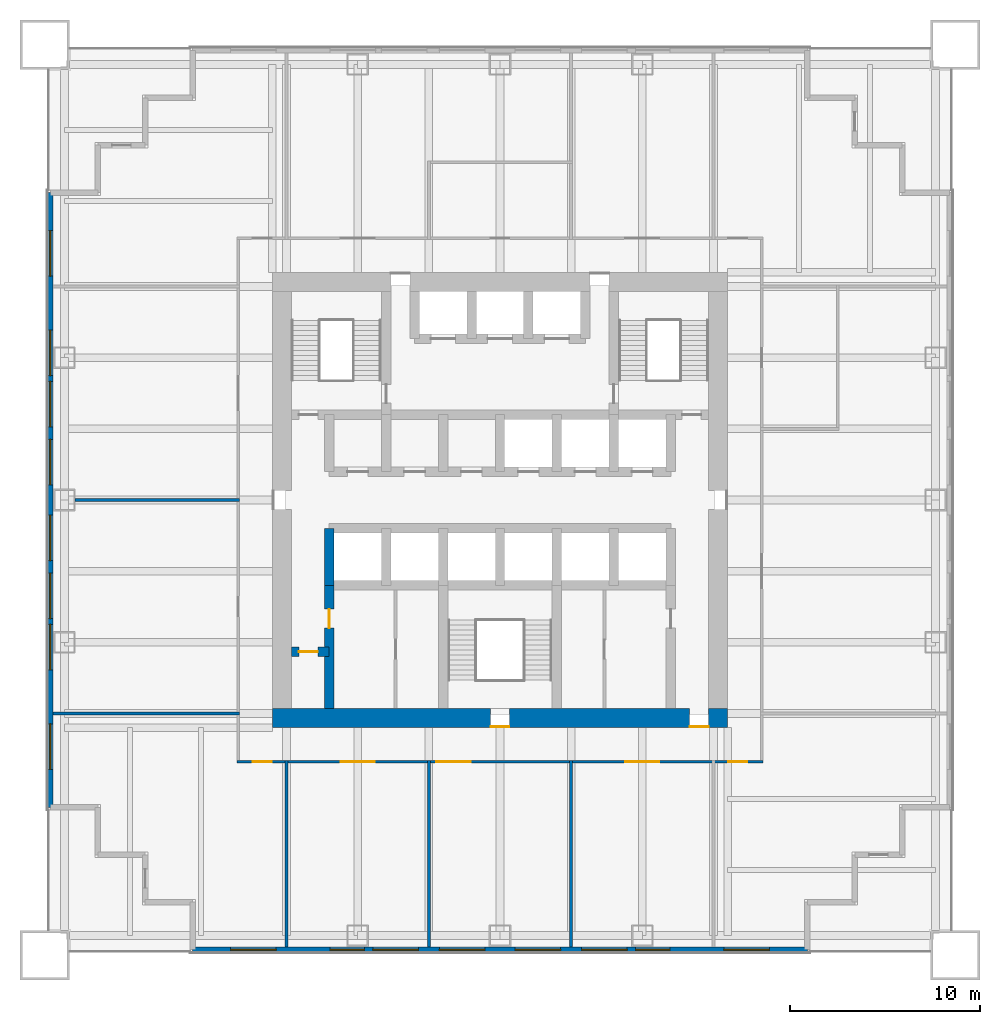
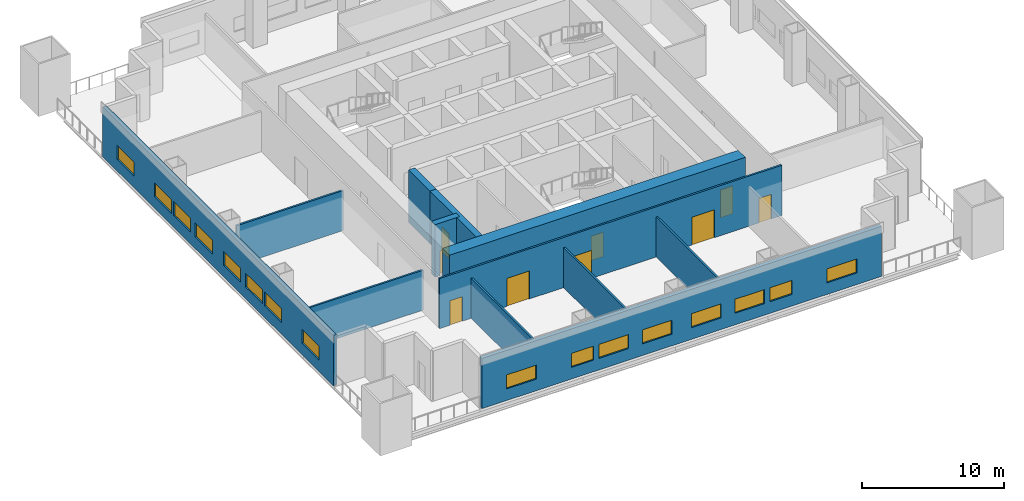
# One storey, part 2 of 7: 16 windows, 12 walls, 9 doors, 25 openings.
"""IFC4 building model written with IfcOpenShell, lengths in metres."""

from ifc_helpers import new_model, si_unit, direction, frame, frame_2d, origin, place, context, subcontext, project, spatial, rectangle, extrude, material, layer, layer_set, type_object, element, fill, save


model = new_model("IFC4")

# Units and contexts
model_context = context("Model", 3, precision=1e-05, world=origin(), true_north=direction((0.0, 1.0)))
body_context = subcontext(model_context, "Body", "Model", "MODEL_VIEW")
ifc_project = project(units=[si_unit("LENGTHUNIT", "METRE"), si_unit("AREAUNIT", "SQUARE_METRE"), si_unit("VOLUMEUNIT", "CUBIC_METRE"), si_unit("PLANEANGLEUNIT", "RADIAN"), si_unit("MASSUNIT", "GRAM", prefix="KILO")], contexts=[model_context])

# Site, building, storey
site_placement = place(None, origin())
site = spatial("IfcSite", under=ifc_project, at=site_placement, CompositionType="ELEMENT")
building_placement = place(site_placement, origin())
building = spatial("IfcBuilding", under=site, at=building_placement, Name="Tarangal Relay Tower", CompositionType="ELEMENT")
storey_placement = place(building_placement, frame((0.0, 0.0, 126.89990234375)))
storey = spatial("IfcBuildingStorey", under=building, at=storey_placement, Name="L25", CompositionType="ELEMENT", Elevation=126.89990234375)

# Wall, opening, door
ifc_material_1 = material(Name="Concrete fc' 60 MPa", Category="concrete")
ifc_layer_1 = layer(ifc_material_1, 0.5)
ifc_layer_set_1 = layer_set([ifc_layer_1], Name="Core inner wall 500")
wall_type_1 = type_object("IfcWallType", Name="Core inner wall 500", PredefinedType="SHEAR", material=ifc_layer_set_1)
wall_1_placement = place(storey_placement, frame((-11.0, -8.0, 0.0), z_axis=(0.0, 0.0, 1.0), x_axis=(1.0, 0.0, 0.0)))
wall_1 = element("IfcWall", 1, at=wall_1_placement, inside=storey, type_object=wall_type_1, Name="Core wall YM8 L25", PredefinedType="SHEAR", context=body_context, shape_type="SweptSolid", body=[
    extrude(rectangle(XDim=2.0, YDim=0.5, at=frame_2d((1.0, 0.0))), origin(), (0.0, 0.0, 1.0), 4.5),
])
opening_1_placement = place(wall_1_placement, frame((0.39990234375, 0.0, 0.0)))
opening_1 = element("IfcOpeningElement", 2, at=opening_1_placement, cuts=wall_1, Name="Opening D1", PredefinedType="OPENING", context=body_context, shape_type="SweptSolid", body=[
    extrude(rectangle(XDim=1.0, YDim=2.10009765625, at=frame_2d((0.5, 1.050048828125))), frame((0.0, 0.260009765625, 0.0), z_axis=(0.0, -1.0, 0.0), x_axis=(1.0, 0.0, 0.0)), (0.0, 0.0, 1.0), 0.52001953125),
])
ifc_material_2 = material(Name="Hardwood door", Category="wood")
door_type_1 = type_object("IfcDoorType", Name="WC door 1000 x 2100", OperationType="SINGLE_SWING_LEFT", PredefinedType="DOOR", material=ifc_material_2)
door_1_placement = place(opening_1_placement, origin())
door_1 = element("IfcDoor", 3, at=door_1_placement, inside=storey, type_object=door_type_1, Name="Accessible WC door L25", OperationType="SINGLE_SWING_LEFT", OverallHeight=2.10009765625, OverallWidth=1.0, PredefinedType="DOOR", context=body_context, shape_type="SweptSolid", body=[
    extrude(rectangle(XDim=1.0, YDim=2.10009765625, at=frame_2d((0.5, 1.050048828125))), frame((0.0, 0.02490234375, 0.0), z_axis=(0.0, -1.0, 0.0), x_axis=(1.0, 0.0, 0.0)), (0.0, 0.0, 1.0), 0.050048828125),
])
fill(opening_1, door_1)

# Wall
wall_2_placement = place(storey_placement, frame((-9.0, -4.5, 0.0), z_axis=(0.0, 0.0, 1.0), x_axis=(0.0, 1.0, 0.0)))
element("IfcWall", 4, at=wall_2_placement, inside=storey, type_object=wall_type_1, Name="Core wall XM9S L25", PredefinedType="SHEAR", context=body_context, shape_type="SweptSolid", body=[
    extrude(rectangle(XDim=3.0, YDim=0.5, at=frame_2d((1.5, 0.0))), origin(), (0.0, 0.0, 1.0), 4.5),
])

# Wall, opening, door
wall_3_placement = place(storey_placement, frame((-9.0, -11.0, 0.0), z_axis=(0.0, 0.0, 1.0), x_axis=(0.0, 1.0, 0.0)))
wall_3 = element("IfcWall", 5, at=wall_3_placement, inside=storey, type_object=wall_type_1, Name="Core wall XM9W L25", PredefinedType="SHEAR", context=body_context, shape_type="SweptSolid", body=[
    extrude(rectangle(XDim=6.5, YDim=0.5, at=frame_2d((3.25, 0.0))), origin(), (0.0, 0.0, 1.0), 4.5),
])
opening_2_placement = place(wall_3_placement, frame((4.25, 0.0, 0.0)))
opening_2 = element("IfcOpeningElement", 6, at=opening_2_placement, cuts=wall_3, Name="Opening D1", PredefinedType="OPENING", context=body_context, shape_type="SweptSolid", body=[
    extrude(rectangle(XDim=1.0, YDim=2.10009765625, at=frame_2d((0.5, 1.050048828125))), frame((0.0, 0.260009765625, 0.0), z_axis=(0.0, -1.0, 0.0), x_axis=(1.0, 0.0, 0.0)), (0.0, 0.0, 1.0), 0.52001953125),
])
door_2_placement = place(opening_2_placement, origin())
door_2 = element("IfcDoor", 7, at=door_2_placement, inside=storey, type_object=door_type_1, Name="Male WC door L25", OperationType="SINGLE_SWING_LEFT", OverallHeight=2.10009765625, OverallWidth=1.0, PredefinedType="DOOR", context=body_context, shape_type="SweptSolid", body=[
    extrude(rectangle(XDim=1.0, YDim=2.10009765625, at=frame_2d((0.5, 1.050048828125))), frame((0.0, 0.02490234375, 0.0), z_axis=(0.0, -1.0, 0.0), x_axis=(1.0, 0.0, 0.0)), (0.0, 0.0, 1.0), 0.050048828125),
])
fill(opening_2, door_2)

# Wall, openings, doors
ifc_layer_2 = layer(ifc_material_1, 1.0)
ifc_layer_set_2 = layer_set([ifc_layer_2], Name="Core wall 1000")
wall_type_2 = type_object("IfcWallType", Name="Core wall 1000", PredefinedType="SHEAR", material=ifc_layer_set_2)
wall_4_placement = place(storey_placement, frame((12.0, -11.5, 0.0), z_axis=(0.0, 0.0, 1.0), x_axis=(-1.0, 0.0, 0.0)))
wall_4 = element("IfcWall", 8, at=wall_4_placement, inside=storey, type_object=wall_type_2, Name="Core wall S L25", PredefinedType="SHEAR", context=body_context, shape_type="SweptSolid", body=[
    extrude(rectangle(XDim=24.0, YDim=1.0, at=frame_2d((12.0, 0.0))), origin(), (0.0, 0.0, 1.0), 4.5),
])
opening_3_placement = place(wall_4_placement, frame((11.5, 0.0, 0.0)))
opening_3 = element("IfcOpeningElement", 9, at=opening_3_placement, cuts=wall_4, Name="Opening FD1", PredefinedType="OPENING", context=body_context, shape_type="SweptSolid", body=[
    extrude(rectangle(XDim=1.0, YDim=2.10009765625, at=frame_2d((0.5, 1.050048828125))), frame((0.0, 0.510009765625, 0.0), z_axis=(0.0, -1.0, 0.0), x_axis=(1.0, 0.0, 0.0)), (0.0, 0.0, 1.0), 1.02001953125),
])
opening_4_placement = place(wall_4_placement, frame((1.0, 0.0, 0.0)))
opening_4 = element("IfcOpeningElement", 10, at=opening_4_placement, cuts=wall_4, Name="Opening FD3", PredefinedType="OPENING", context=body_context, shape_type="SweptSolid", body=[
    extrude(rectangle(XDim=1.0, YDim=2.39990234375, at=frame_2d((0.5, 1.199951171875))), frame((0.0, 0.510009765625, 0.0), z_axis=(0.0, -1.0, 0.0), x_axis=(1.0, 0.0, 0.0)), (0.0, 0.0, 1.0), 1.02001953125),
])
ifc_material_3 = material(Name="Steel door with hardwood frame", Category="steel")
door_type_2 = type_object("IfcDoorType", Name="Fire door 1000 x 2100", OperationType="SINGLE_SWING_LEFT", PredefinedType="DOOR", material=ifc_material_3)
door_3_placement = place(opening_3_placement, origin())
door_3 = element("IfcDoor", 11, at=door_3_placement, inside=storey, type_object=door_type_2, Name="Stair ST-C door L25", OperationType="SINGLE_SWING_LEFT", OverallHeight=2.10009765625, OverallWidth=1.0, PredefinedType="DOOR", context=body_context, shape_type="SweptSolid", body=[
    extrude(rectangle(XDim=1.0, YDim=2.10009765625, at=frame_2d((0.5, 1.050048828125))), frame((0.0, 0.48486328125, 0.0), z_axis=(0.0, -1.0, 0.0), x_axis=(1.0, 0.0, 0.0)), (0.0, 0.0, 1.0), 0.050048828125),
])
fill(opening_3, door_3)
door_type_3 = type_object("IfcDoorType", Name="Fire door 1000 x 2400 core entry", OperationType="SINGLE_SWING_RIGHT", PredefinedType="DOOR", material=ifc_material_3)
door_4_placement = place(opening_4_placement, origin())
door_4 = element("IfcDoor", 12, at=door_4_placement, inside=storey, type_object=door_type_3, Name="Core entry door south east L25", OperationType="SINGLE_SWING_RIGHT", OverallHeight=2.39990234375, OverallWidth=1.0, PredefinedType="DOOR", context=body_context, shape_type="SweptSolid", body=[
    extrude(rectangle(XDim=1.0, YDim=2.39990234375, at=frame_2d((0.5, 1.199951171875))), frame((0.0, 0.48486328125, 0.0), z_axis=(0.0, -1.0, 0.0), x_axis=(1.0, 0.0, 0.0)), (0.0, 0.0, 1.0), 0.050048828125),
])
fill(opening_4, door_4)

# Wall, openings, windows
ifc_material_4 = material(Name="Insulated precast concrete fc' 40 MPa", Category="concrete")
ifc_layer_3 = layer(ifc_material_4, 0.300048828125)
ifc_layer_set_3 = layer_set([ifc_layer_3], Name="Insulated precast concrete fc' 40 MPa")
wall_type_3 = type_object("IfcWallType", Name="Facade wall precast 300", PredefinedType="SOLIDWALL", material=ifc_layer_set_3)
wall_5_placement = place(storey_placement, frame((16.199951171875, -23.699951171875, 0.0), z_axis=(0.0, 0.0, 1.0), x_axis=(-1.0, 0.0, 0.0)))
wall_5 = element("IfcWall", 13, at=wall_5_placement, inside=storey, type_object=wall_type_3, Name="Facade wall S facade L25", PredefinedType="SOLIDWALL", context=body_context, shape_type="SweptSolid", body=[
    extrude(rectangle(XDim=32.39990234375, YDim=0.300048828125, at=frame_2d((16.199951171875, 0.0))), origin(), (0.0, 0.0, 1.0), 4.300048828125),
])
opening_5_placement = place(wall_5_placement, frame((2.0, 0.0, 1.0)))
opening_5 = element("IfcOpeningElement", 14, at=opening_5_placement, cuts=wall_5, Name="Opening WN1", PredefinedType="OPENING", context=body_context, shape_type="SweptSolid", body=[
    extrude(rectangle(XDim=2.39990234375, YDim=1.199951171875, at=frame_2d((1.199951171875, 0.60009765625))), frame((0.0, 0.159912109375, 0.0), z_axis=(0.0, -1.0, 0.0), x_axis=(1.0, 0.0, 0.0)), (0.0, 0.0, 1.0), 0.320068359375),
])
opening_6_placement = place(wall_5_placement, frame((7.25, 0.0, 1.0)))
opening_6 = element("IfcOpeningElement", 15, at=opening_6_placement, cuts=wall_5, Name="Opening WN5", PredefinedType="OPENING", context=body_context, shape_type="SweptSolid", body=[
    extrude(rectangle(XDim=1.800048828125, YDim=1.199951171875, at=frame_2d((0.89990234375, 0.60009765625))), frame((0.0, 0.159912109375, 0.0), z_axis=(0.0, -1.0, 0.0), x_axis=(1.0, 0.0, 0.0)), (0.0, 0.0, 1.0), 0.320068359375),
])
opening_7_placement = place(wall_5_placement, frame((9.5, 0.0, 1.0)))
opening_7 = element("IfcOpeningElement", 16, at=opening_7_placement, cuts=wall_5, Name="Opening WN1", PredefinedType="OPENING", context=body_context, shape_type="SweptSolid", body=[
    extrude(rectangle(XDim=2.39990234375, YDim=1.199951171875, at=frame_2d((1.199951171875, 0.60009765625))), frame((0.0, 0.159912109375, 0.0), z_axis=(0.0, -1.0, 0.0), x_axis=(1.0, 0.0, 0.0)), (0.0, 0.0, 1.0), 0.320068359375),
])
opening_8_placement = place(wall_5_placement, frame((13.0, 0.0, 1.0)))
opening_8 = element("IfcOpeningElement", 17, at=opening_8_placement, cuts=wall_5, Name="Opening WN1", PredefinedType="OPENING", context=body_context, shape_type="SweptSolid", body=[
    extrude(rectangle(XDim=2.39990234375, YDim=1.199951171875, at=frame_2d((1.199951171875, 0.60009765625))), frame((0.0, 0.159912109375, 0.0), z_axis=(0.0, -1.0, 0.0), x_axis=(1.0, 0.0, 0.0)), (0.0, 0.0, 1.0), 0.320068359375),
])
opening_9_placement = place(wall_5_placement, frame((17.0, 0.0, 1.0)))
opening_9 = element("IfcOpeningElement", 18, at=opening_9_placement, cuts=wall_5, Name="Opening WN1", PredefinedType="OPENING", context=body_context, shape_type="SweptSolid", body=[
    extrude(rectangle(XDim=2.39990234375, YDim=1.199951171875, at=frame_2d((1.199951171875, 0.60009765625))), frame((0.0, 0.159912109375, 0.0), z_axis=(0.0, -1.0, 0.0), x_axis=(1.0, 0.0, 0.0)), (0.0, 0.0, 1.0), 0.320068359375),
])
opening_10_placement = place(wall_5_placement, frame((20.5, 0.0, 1.0)))
opening_10 = element("IfcOpeningElement", 19, at=opening_10_placement, cuts=wall_5, Name="Opening WN1", PredefinedType="OPENING", context=body_context, shape_type="SweptSolid", body=[
    extrude(rectangle(XDim=2.39990234375, YDim=1.199951171875, at=frame_2d((1.199951171875, 0.60009765625))), frame((0.0, 0.159912109375, 0.0), z_axis=(0.0, -1.0, 0.0), x_axis=(1.0, 0.0, 0.0)), (0.0, 0.0, 1.0), 0.320068359375),
])
opening_11_placement = place(wall_5_placement, frame((23.35009765625, 0.0, 1.0)))
opening_11 = element("IfcOpeningElement", 20, at=opening_11_placement, cuts=wall_5, Name="Opening WN5", PredefinedType="OPENING", context=body_context, shape_type="SweptSolid", body=[
    extrude(rectangle(XDim=1.800048828125, YDim=1.199951171875, at=frame_2d((0.89990234375, 0.60009765625))), frame((0.0, 0.159912109375, 0.0), z_axis=(0.0, -1.0, 0.0), x_axis=(1.0, 0.0, 0.0)), (0.0, 0.0, 1.0), 0.320068359375),
])
opening_12_placement = place(wall_5_placement, frame((28.0, 0.0, 1.0)))
opening_12 = element("IfcOpeningElement", 21, at=opening_12_placement, cuts=wall_5, Name="Opening WN1", PredefinedType="OPENING", context=body_context, shape_type="SweptSolid", body=[
    extrude(rectangle(XDim=2.39990234375, YDim=1.199951171875, at=frame_2d((1.199951171875, 0.60009765625))), frame((0.0, 0.159912109375, 0.0), z_axis=(0.0, -1.0, 0.0), x_axis=(1.0, 0.0, 0.0)), (0.0, 0.0, 1.0), 0.320068359375),
])
ifc_material_5 = material(Name="Dark tinted double glazing in black aluminium frame", Category="aluminium")
window_type_1 = type_object("IfcWindowType", Name="Ribbon window 1800 x 1200", PartitioningType="SINGLE_PANEL", PredefinedType="WINDOW", material=ifc_material_5)
window_1_placement = place(opening_6_placement, origin())
window_1 = element("IfcWindow", 22, at=window_1_placement, inside=storey, type_object=window_type_1, Name="Ribbon window WN5 S facade L25", OverallHeight=1.199951171875, OverallWidth=1.800048828125, PartitioningType="SINGLE_PANEL", PredefinedType="WINDOW", context=body_context, shape_type="SweptSolid", body=[
    extrude(rectangle(XDim=1.800048828125, YDim=1.199951171875, at=frame_2d((0.89990234375, 0.60009765625))), frame((0.0, 0.030029296875, 0.0), z_axis=(0.0, -1.0, 0.0), x_axis=(1.0, 0.0, 0.0)), (0.0, 0.0, 1.0), 0.06005859375),
])
fill(opening_6, window_1)
window_2_placement = place(opening_11_placement, origin())
window_2 = element("IfcWindow", 23, at=window_2_placement, inside=storey, type_object=window_type_1, Name="Ribbon window WN5 S facade L25", OverallHeight=1.199951171875, OverallWidth=1.800048828125, PartitioningType="SINGLE_PANEL", PredefinedType="WINDOW", context=body_context, shape_type="SweptSolid", body=[
    extrude(rectangle(XDim=1.800048828125, YDim=1.199951171875, at=frame_2d((0.89990234375, 0.60009765625))), frame((0.0, 0.030029296875, 0.0), z_axis=(0.0, -1.0, 0.0), x_axis=(1.0, 0.0, 0.0)), (0.0, 0.0, 1.0), 0.06005859375),
])
fill(opening_11, window_2)
window_type_2 = type_object("IfcWindowType", Name="Ribbon window 2400 x 1200", PartitioningType="SINGLE_PANEL", PredefinedType="WINDOW", material=ifc_material_5)
window_3_placement = place(opening_5_placement, origin())
window_3 = element("IfcWindow", 24, at=window_3_placement, inside=storey, type_object=window_type_2, Name="Ribbon window WN1 S facade L25", OverallHeight=1.199951171875, OverallWidth=2.39990234375, PartitioningType="SINGLE_PANEL", PredefinedType="WINDOW", context=body_context, shape_type="SweptSolid", body=[
    extrude(rectangle(XDim=2.39990234375, YDim=1.199951171875, at=frame_2d((1.199951171875, 0.60009765625))), frame((0.0, 0.030029296875, 0.0), z_axis=(0.0, -1.0, 0.0), x_axis=(1.0, 0.0, 0.0)), (0.0, 0.0, 1.0), 0.06005859375),
])
fill(opening_5, window_3)
window_4_placement = place(opening_7_placement, origin())
window_4 = element("IfcWindow", 25, at=window_4_placement, inside=storey, type_object=window_type_2, Name="Ribbon window WN1 S facade L25", OverallHeight=1.199951171875, OverallWidth=2.39990234375, PartitioningType="SINGLE_PANEL", PredefinedType="WINDOW", context=body_context, shape_type="SweptSolid", body=[
    extrude(rectangle(XDim=2.39990234375, YDim=1.199951171875, at=frame_2d((1.199951171875, 0.60009765625))), frame((0.0, 0.030029296875, 0.0), z_axis=(0.0, -1.0, 0.0), x_axis=(1.0, 0.0, 0.0)), (0.0, 0.0, 1.0), 0.06005859375),
])
fill(opening_7, window_4)
window_5_placement = place(opening_8_placement, origin())
window_5 = element("IfcWindow", 26, at=window_5_placement, inside=storey, type_object=window_type_2, Name="Ribbon window WN1 S facade L25", OverallHeight=1.199951171875, OverallWidth=2.39990234375, PartitioningType="SINGLE_PANEL", PredefinedType="WINDOW", context=body_context, shape_type="SweptSolid", body=[
    extrude(rectangle(XDim=2.39990234375, YDim=1.199951171875, at=frame_2d((1.199951171875, 0.60009765625))), frame((0.0, 0.030029296875, 0.0), z_axis=(0.0, -1.0, 0.0), x_axis=(1.0, 0.0, 0.0)), (0.0, 0.0, 1.0), 0.06005859375),
])
fill(opening_8, window_5)
window_6_placement = place(opening_9_placement, origin())
window_6 = element("IfcWindow", 27, at=window_6_placement, inside=storey, type_object=window_type_2, Name="Ribbon window WN1 S facade L25", OverallHeight=1.199951171875, OverallWidth=2.39990234375, PartitioningType="SINGLE_PANEL", PredefinedType="WINDOW", context=body_context, shape_type="SweptSolid", body=[
    extrude(rectangle(XDim=2.39990234375, YDim=1.199951171875, at=frame_2d((1.199951171875, 0.60009765625))), frame((0.0, 0.030029296875, 0.0), z_axis=(0.0, -1.0, 0.0), x_axis=(1.0, 0.0, 0.0)), (0.0, 0.0, 1.0), 0.06005859375),
])
fill(opening_9, window_6)
window_7_placement = place(opening_10_placement, origin())
window_7 = element("IfcWindow", 28, at=window_7_placement, inside=storey, type_object=window_type_2, Name="Ribbon window WN1 S facade L25", OverallHeight=1.199951171875, OverallWidth=2.39990234375, PartitioningType="SINGLE_PANEL", PredefinedType="WINDOW", context=body_context, shape_type="SweptSolid", body=[
    extrude(rectangle(XDim=2.39990234375, YDim=1.199951171875, at=frame_2d((1.199951171875, 0.60009765625))), frame((0.0, 0.030029296875, 0.0), z_axis=(0.0, -1.0, 0.0), x_axis=(1.0, 0.0, 0.0)), (0.0, 0.0, 1.0), 0.06005859375),
])
fill(opening_10, window_7)
window_8_placement = place(opening_12_placement, origin())
window_8 = element("IfcWindow", 29, at=window_8_placement, inside=storey, type_object=window_type_2, Name="Ribbon window WN1 S facade L25", OverallHeight=1.199951171875, OverallWidth=2.39990234375, PartitioningType="SINGLE_PANEL", PredefinedType="WINDOW", context=body_context, shape_type="SweptSolid", body=[
    extrude(rectangle(XDim=2.39990234375, YDim=1.199951171875, at=frame_2d((1.199951171875, 0.60009765625))), frame((0.0, 0.030029296875, 0.0), z_axis=(0.0, -1.0, 0.0), x_axis=(1.0, 0.0, 0.0)), (0.0, 0.0, 1.0), 0.06005859375),
])
fill(opening_12, window_8)

wall_6_placement = place(storey_placement, frame((-23.699951171875, -16.199951171875, 0.0), z_axis=(0.0, 0.0, 1.0), x_axis=(0.0, 1.0, 0.0)))
wall_6 = element("IfcWall", 30, at=wall_6_placement, inside=storey, type_object=wall_type_3, Name="Facade wall W facade L25", PredefinedType="SOLIDWALL", context=body_context, shape_type="SweptSolid", body=[
    extrude(rectangle(XDim=32.39990234375, YDim=0.300048828125, at=frame_2d((16.199951171875, 0.0))), origin(), (0.0, 0.0, 1.0), 4.300048828125),
])
opening_13_placement = place(wall_6_placement, frame((2.0, 0.0, 1.0)))
opening_13 = element("IfcOpeningElement", 31, at=opening_13_placement, cuts=wall_6, Name="Opening WN1", PredefinedType="OPENING", context=body_context, shape_type="SweptSolid", body=[
    extrude(rectangle(XDim=2.39990234375, YDim=1.199951171875, at=frame_2d((1.199951171875, 0.60009765625))), frame((0.0, 0.159912109375, 0.0), z_axis=(0.0, -1.0, 0.0), x_axis=(1.0, 0.0, 0.0)), (0.0, 0.0, 1.0), 0.320068359375),
])
opening_14_placement = place(wall_6_placement, frame((7.25, 0.0, 1.0)))
opening_14 = element("IfcOpeningElement", 32, at=opening_14_placement, cuts=wall_6, Name="Opening WN1", PredefinedType="OPENING", context=body_context, shape_type="SweptSolid", body=[
    extrude(rectangle(XDim=2.39990234375, YDim=1.199951171875, at=frame_2d((1.199951171875, 0.60009765625))), frame((0.0, 0.159912109375, 0.0), z_axis=(0.0, -1.0, 0.0), x_axis=(1.0, 0.0, 0.0)), (0.0, 0.0, 1.0), 0.320068359375),
])
opening_15_placement = place(wall_6_placement, frame((9.949951171875, 0.0, 1.0)))
opening_15 = element("IfcOpeningElement", 33, at=opening_15_placement, cuts=wall_6, Name="Opening WN1", PredefinedType="OPENING", context=body_context, shape_type="SweptSolid", body=[
    extrude(rectangle(XDim=2.39990234375, YDim=1.199951171875, at=frame_2d((1.199951171875, 0.60009765625))), frame((0.0, 0.159912109375, 0.0), z_axis=(0.0, -1.0, 0.0), x_axis=(1.0, 0.0, 0.0)), (0.0, 0.0, 1.0), 0.320068359375),
])
opening_16_placement = place(wall_6_placement, frame((13.0, 0.0, 1.0)))
opening_16 = element("IfcOpeningElement", 34, at=opening_16_placement, cuts=wall_6, Name="Opening WN1", PredefinedType="OPENING", context=body_context, shape_type="SweptSolid", body=[
    extrude(rectangle(XDim=2.39990234375, YDim=1.199951171875, at=frame_2d((1.199951171875, 0.60009765625))), frame((0.0, 0.159912109375, 0.0), z_axis=(0.0, -1.0, 0.0), x_axis=(1.0, 0.0, 0.0)), (0.0, 0.0, 1.0), 0.320068359375),
])
opening_17_placement = place(wall_6_placement, frame((17.0, 0.0, 1.0)))
opening_17 = element("IfcOpeningElement", 35, at=opening_17_placement, cuts=wall_6, Name="Opening WN1", PredefinedType="OPENING", context=body_context, shape_type="SweptSolid", body=[
    extrude(rectangle(XDim=2.39990234375, YDim=1.199951171875, at=frame_2d((1.199951171875, 0.60009765625))), frame((0.0, 0.159912109375, 0.0), z_axis=(0.0, -1.0, 0.0), x_axis=(1.0, 0.0, 0.0)), (0.0, 0.0, 1.0), 0.320068359375),
])
opening_18_placement = place(wall_6_placement, frame((20.050048828125, 0.0, 1.0)))
opening_18 = element("IfcOpeningElement", 36, at=opening_18_placement, cuts=wall_6, Name="Opening WN1", PredefinedType="OPENING", context=body_context, shape_type="SweptSolid", body=[
    extrude(rectangle(XDim=2.39990234375, YDim=1.199951171875, at=frame_2d((1.199951171875, 0.60009765625))), frame((0.0, 0.159912109375, 0.0), z_axis=(0.0, -1.0, 0.0), x_axis=(1.0, 0.0, 0.0)), (0.0, 0.0, 1.0), 0.320068359375),
])
opening_19_placement = place(wall_6_placement, frame((22.75, 0.0, 1.0)))
opening_19 = element("IfcOpeningElement", 37, at=opening_19_placement, cuts=wall_6, Name="Opening WN1", PredefinedType="OPENING", context=body_context, shape_type="SweptSolid", body=[
    extrude(rectangle(XDim=2.39990234375, YDim=1.199951171875, at=frame_2d((1.199951171875, 0.60009765625))), frame((0.0, 0.159912109375, 0.0), z_axis=(0.0, -1.0, 0.0), x_axis=(1.0, 0.0, 0.0)), (0.0, 0.0, 1.0), 0.320068359375),
])
opening_20_placement = place(wall_6_placement, frame((28.0, 0.0, 1.0)))
opening_20 = element("IfcOpeningElement", 38, at=opening_20_placement, cuts=wall_6, Name="Opening WN1", PredefinedType="OPENING", context=body_context, shape_type="SweptSolid", body=[
    extrude(rectangle(XDim=2.39990234375, YDim=1.199951171875, at=frame_2d((1.199951171875, 0.60009765625))), frame((0.0, 0.159912109375, 0.0), z_axis=(0.0, -1.0, 0.0), x_axis=(1.0, 0.0, 0.0)), (0.0, 0.0, 1.0), 0.320068359375),
])
window_9_placement = place(opening_13_placement, origin())
window_9 = element("IfcWindow", 39, at=window_9_placement, inside=storey, type_object=window_type_2, Name="Ribbon window WN1 W facade L25", OverallHeight=1.199951171875, OverallWidth=2.39990234375, PartitioningType="SINGLE_PANEL", PredefinedType="WINDOW", context=body_context, shape_type="SweptSolid", body=[
    extrude(rectangle(XDim=2.39990234375, YDim=1.199951171875, at=frame_2d((1.199951171875, 0.60009765625))), frame((0.0, 0.030029296875, 0.0), z_axis=(0.0, -1.0, 0.0), x_axis=(1.0, 0.0, 0.0)), (0.0, 0.0, 1.0), 0.06005859375),
])
fill(opening_13, window_9)
window_10_placement = place(opening_14_placement, origin())
window_10 = element("IfcWindow", 40, at=window_10_placement, inside=storey, type_object=window_type_2, Name="Ribbon window WN1 W facade L25", OverallHeight=1.199951171875, OverallWidth=2.39990234375, PartitioningType="SINGLE_PANEL", PredefinedType="WINDOW", context=body_context, shape_type="SweptSolid", body=[
    extrude(rectangle(XDim=2.39990234375, YDim=1.199951171875, at=frame_2d((1.199951171875, 0.60009765625))), frame((0.0, 0.030029296875, 0.0), z_axis=(0.0, -1.0, 0.0), x_axis=(1.0, 0.0, 0.0)), (0.0, 0.0, 1.0), 0.06005859375),
])
fill(opening_14, window_10)
window_11_placement = place(opening_15_placement, origin())
window_11 = element("IfcWindow", 41, at=window_11_placement, inside=storey, type_object=window_type_2, Name="Ribbon window WN1 W facade L25", OverallHeight=1.199951171875, OverallWidth=2.39990234375, PartitioningType="SINGLE_PANEL", PredefinedType="WINDOW", context=body_context, shape_type="SweptSolid", body=[
    extrude(rectangle(XDim=2.39990234375, YDim=1.199951171875, at=frame_2d((1.199951171875, 0.60009765625))), frame((0.0, 0.030029296875, 0.0), z_axis=(0.0, -1.0, 0.0), x_axis=(1.0, 0.0, 0.0)), (0.0, 0.0, 1.0), 0.06005859375),
])
fill(opening_15, window_11)
window_12_placement = place(opening_16_placement, origin())
window_12 = element("IfcWindow", 42, at=window_12_placement, inside=storey, type_object=window_type_2, Name="Ribbon window WN1 W facade L25", OverallHeight=1.199951171875, OverallWidth=2.39990234375, PartitioningType="SINGLE_PANEL", PredefinedType="WINDOW", context=body_context, shape_type="SweptSolid", body=[
    extrude(rectangle(XDim=2.39990234375, YDim=1.199951171875, at=frame_2d((1.199951171875, 0.60009765625))), frame((0.0, 0.030029296875, 0.0), z_axis=(0.0, -1.0, 0.0), x_axis=(1.0, 0.0, 0.0)), (0.0, 0.0, 1.0), 0.06005859375),
])
fill(opening_16, window_12)
window_13_placement = place(opening_17_placement, origin())
window_13 = element("IfcWindow", 43, at=window_13_placement, inside=storey, type_object=window_type_2, Name="Ribbon window WN1 W facade L25", OverallHeight=1.199951171875, OverallWidth=2.39990234375, PartitioningType="SINGLE_PANEL", PredefinedType="WINDOW", context=body_context, shape_type="SweptSolid", body=[
    extrude(rectangle(XDim=2.39990234375, YDim=1.199951171875, at=frame_2d((1.199951171875, 0.60009765625))), frame((0.0, 0.030029296875, 0.0), z_axis=(0.0, -1.0, 0.0), x_axis=(1.0, 0.0, 0.0)), (0.0, 0.0, 1.0), 0.06005859375),
])
fill(opening_17, window_13)
window_14_placement = place(opening_18_placement, origin())
window_14 = element("IfcWindow", 44, at=window_14_placement, inside=storey, type_object=window_type_2, Name="Ribbon window WN1 W facade L25", OverallHeight=1.199951171875, OverallWidth=2.39990234375, PartitioningType="SINGLE_PANEL", PredefinedType="WINDOW", context=body_context, shape_type="SweptSolid", body=[
    extrude(rectangle(XDim=2.39990234375, YDim=1.199951171875, at=frame_2d((1.199951171875, 0.60009765625))), frame((0.0, 0.030029296875, 0.0), z_axis=(0.0, -1.0, 0.0), x_axis=(1.0, 0.0, 0.0)), (0.0, 0.0, 1.0), 0.06005859375),
])
fill(opening_18, window_14)
window_15_placement = place(opening_19_placement, origin())
window_15 = element("IfcWindow", 45, at=window_15_placement, inside=storey, type_object=window_type_2, Name="Ribbon window WN1 W facade L25", OverallHeight=1.199951171875, OverallWidth=2.39990234375, PartitioningType="SINGLE_PANEL", PredefinedType="WINDOW", context=body_context, shape_type="SweptSolid", body=[
    extrude(rectangle(XDim=2.39990234375, YDim=1.199951171875, at=frame_2d((1.199951171875, 0.60009765625))), frame((0.0, 0.030029296875, 0.0), z_axis=(0.0, -1.0, 0.0), x_axis=(1.0, 0.0, 0.0)), (0.0, 0.0, 1.0), 0.06005859375),
])
fill(opening_19, window_15)
window_16_placement = place(opening_20_placement, origin())
window_16 = element("IfcWindow", 46, at=window_16_placement, inside=storey, type_object=window_type_2, Name="Ribbon window WN1 W facade L25", OverallHeight=1.199951171875, OverallWidth=2.39990234375, PartitioningType="SINGLE_PANEL", PredefinedType="WINDOW", context=body_context, shape_type="SweptSolid", body=[
    extrude(rectangle(XDim=2.39990234375, YDim=1.199951171875, at=frame_2d((1.199951171875, 0.60009765625))), frame((0.0, 0.030029296875, 0.0), z_axis=(0.0, -1.0, 0.0), x_axis=(1.0, 0.0, 0.0)), (0.0, 0.0, 1.0), 0.06005859375),
])
fill(opening_20, window_16)

# Wall, openings, doors
ifc_material_6 = material(Name="Gypsum board on steel studs", Category="steel")
ifc_layer_4 = layer(ifc_material_6, 0.14990234375)
ifc_layer_set_4 = layer_set([ifc_layer_4], Name="Partition 150")
wall_type_4 = type_object("IfcWallType", Name="Partition 150", PredefinedType="PARTITIONING", material=ifc_layer_set_4)
wall_7_placement = place(storey_placement, frame((-13.875, -13.800048828125, 0.0), z_axis=(0.0, 0.0, 1.0), x_axis=(1.0, 0.0, 0.0)))
wall_7 = element("IfcWall", 47, at=wall_7_placement, inside=storey, type_object=wall_type_4, Name="Partition PT1 L25", PredefinedType="PARTITIONING", context=body_context, shape_type="SweptSolid", body=[
    extrude(rectangle(XDim=27.75, YDim=0.14990234375, at=frame_2d((13.875, 0.0))), origin(), (0.0, 0.0, 1.0), 4.300048828125),
])
opening_21_placement = place(wall_7_placement, frame((20.47509765625, 0.0, 0.0)))
opening_21 = element("IfcOpeningElement", 48, at=opening_21_placement, cuts=wall_7, Name="Opening DD1", PredefinedType="OPENING", context=body_context, shape_type="SweptSolid", body=[
    extrude(rectangle(XDim=1.800048828125, YDim=2.39990234375, at=frame_2d((0.89990234375, 1.199951171875))), frame((0.0, 0.0849609375, 0.0), z_axis=(0.0, -1.0, 0.0), x_axis=(1.0, 0.0, 0.0)), (0.0, 0.0, 1.0), 0.169921875),
])
opening_22_placement = place(wall_7_placement, frame((10.52490234375, 0.0, 0.0)))
opening_22 = element("IfcOpeningElement", 49, at=opening_22_placement, cuts=wall_7, Name="Opening DD1", PredefinedType="OPENING", context=body_context, shape_type="SweptSolid", body=[
    extrude(rectangle(XDim=1.800048828125, YDim=2.39990234375, at=frame_2d((0.89990234375, 1.199951171875))), frame((0.0, 0.0849609375, 0.0), z_axis=(0.0, -1.0, 0.0), x_axis=(1.0, 0.0, 0.0)), (0.0, 0.0, 1.0), 0.169921875),
])
opening_23_placement = place(wall_7_placement, frame((5.47509765625, 0.0, 0.0)))
opening_23 = element("IfcOpeningElement", 50, at=opening_23_placement, cuts=wall_7, Name="Opening DD1", PredefinedType="OPENING", context=body_context, shape_type="SweptSolid", body=[
    extrude(rectangle(XDim=1.800048828125, YDim=2.39990234375, at=frame_2d((0.89990234375, 1.199951171875))), frame((0.0, 0.0849609375, 0.0), z_axis=(0.0, -1.0, 0.0), x_axis=(1.0, 0.0, 0.0)), (0.0, 0.0, 1.0), 0.169921875),
])
opening_24_placement = place(wall_7_placement, frame((25.89990234375, 0.0, 0.0)))
opening_24 = element("IfcOpeningElement", 51, at=opening_24_placement, cuts=wall_7, Name="Opening D2", PredefinedType="OPENING", context=body_context, shape_type="SweptSolid", body=[
    extrude(rectangle(XDim=1.0, YDim=2.10009765625, at=frame_2d((0.5, 1.050048828125))), frame((0.0, 0.0849609375, 0.0), z_axis=(0.0, -1.0, 0.0), x_axis=(1.0, 0.0, 0.0)), (0.0, 0.0, 1.0), 0.169921875),
])
opening_25_placement = place(wall_7_placement, frame((0.85009765625, 0.0, 0.0)))
opening_25 = element("IfcOpeningElement", 52, at=opening_25_placement, cuts=wall_7, Name="Opening D2", PredefinedType="OPENING", context=body_context, shape_type="SweptSolid", body=[
    extrude(rectangle(XDim=1.0, YDim=2.10009765625, at=frame_2d((0.5, 1.050048828125))), frame((0.0, 0.0849609375, 0.0), z_axis=(0.0, -1.0, 0.0), x_axis=(1.0, 0.0, 0.0)), (0.0, 0.0, 1.0), 0.169921875),
])
door_type_4 = type_object("IfcDoorType", Name="Door 1000 x 2100", OperationType="SINGLE_SWING_LEFT", PredefinedType="DOOR", material=ifc_material_2)
door_5_placement = place(opening_24_placement, origin())
door_5 = element("IfcDoor", 53, at=door_5_placement, inside=storey, type_object=door_type_4, Name="Door D2 to engineering office L25-13", OperationType="SINGLE_SWING_LEFT", OverallHeight=2.10009765625, OverallWidth=1.0, PredefinedType="DOOR", context=body_context, shape_type="SweptSolid", body=[
    extrude(rectangle(XDim=1.0, YDim=2.10009765625, at=frame_2d((0.5, 1.050048828125))), frame((0.0, 0.02490234375, 0.0), z_axis=(0.0, -1.0, 0.0), x_axis=(1.0, 0.0, 0.0)), (0.0, 0.0, 1.0), 0.050048828125),
])
fill(opening_24, door_5)
door_6_placement = place(opening_25_placement, origin())
door_6 = element("IfcDoor", 54, at=door_6_placement, inside=storey, type_object=door_type_4, Name="Door D2 to security office L25-14", OperationType="SINGLE_SWING_LEFT", OverallHeight=2.10009765625, OverallWidth=1.0, PredefinedType="DOOR", context=body_context, shape_type="SweptSolid", body=[
    extrude(rectangle(XDim=1.0, YDim=2.10009765625, at=frame_2d((0.5, 1.050048828125))), frame((0.0, 0.02490234375, 0.0), z_axis=(0.0, -1.0, 0.0), x_axis=(1.0, 0.0, 0.0)), (0.0, 0.0, 1.0), 0.050048828125),
])
fill(opening_25, door_6)
door_type_5 = type_object("IfcDoorType", Name="Equipment double door 1800 x 2400", OperationType="DOUBLE_DOOR_SINGLE_SWING", PredefinedType="DOOR", material=ifc_material_3)
door_7_placement = place(opening_21_placement, origin())
door_7 = element("IfcDoor", 55, at=door_7_placement, inside=storey, type_object=door_type_5, Name="Door DD1 to rectifier and battery room L25-07", OperationType="DOUBLE_DOOR_SINGLE_SWING", OverallHeight=2.39990234375, OverallWidth=1.800048828125, PredefinedType="DOOR", context=body_context, shape_type="SweptSolid", body=[
    extrude(rectangle(XDim=1.800048828125, YDim=2.39990234375, at=frame_2d((0.89990234375, 1.199951171875))), frame((0.0, 0.02490234375, 0.0), z_axis=(0.0, -1.0, 0.0), x_axis=(1.0, 0.0, 0.0)), (0.0, 0.0, 1.0), 0.050048828125),
])
fill(opening_21, door_7)
door_8_placement = place(opening_22_placement, origin())
door_8 = element("IfcDoor", 56, at=door_8_placement, inside=storey, type_object=door_type_5, Name="Door DD1 to electrical room L25-08", OperationType="DOUBLE_DOOR_SINGLE_SWING", OverallHeight=2.39990234375, OverallWidth=1.800048828125, PredefinedType="DOOR", context=body_context, shape_type="SweptSolid", body=[
    extrude(rectangle(XDim=1.800048828125, YDim=2.39990234375, at=frame_2d((0.89990234375, 1.199951171875))), frame((0.0, 0.02490234375, 0.0), z_axis=(0.0, -1.0, 0.0), x_axis=(1.0, 0.0, 0.0)), (0.0, 0.0, 1.0), 0.050048828125),
])
fill(opening_22, door_8)
door_9_placement = place(opening_23_placement, origin())
door_9 = element("IfcDoor", 57, at=door_9_placement, inside=storey, type_object=door_type_5, Name="Door DD1 to fibre distribution room L25-09", OperationType="DOUBLE_DOOR_SINGLE_SWING", OverallHeight=2.39990234375, OverallWidth=1.800048828125, PredefinedType="DOOR", context=body_context, shape_type="SweptSolid", body=[
    extrude(rectangle(XDim=1.800048828125, YDim=2.39990234375, at=frame_2d((0.89990234375, 1.199951171875))), frame((0.0, 0.02490234375, 0.0), z_axis=(0.0, -1.0, 0.0), x_axis=(1.0, 0.0, 0.0)), (0.0, 0.0, 1.0), 0.050048828125),
])
fill(opening_23, door_9)

# Walls
wall_8_placement = place(storey_placement, frame((-23.550048828125, -11.25, 0.0), z_axis=(0.0, 0.0, 1.0), x_axis=(1.0, 0.0, 0.0)))
element("IfcWall", 58, at=wall_8_placement, inside=storey, type_object=wall_type_4, Name="Partition PT1 L25", PredefinedType="PARTITIONING", context=body_context, shape_type="SweptSolid", body=[
    extrude(rectangle(XDim=9.824951171875, YDim=0.14990234375, at=frame_2d((4.91259765625, 0.0))), origin(), (0.0, 0.0, 1.0), 3.431396484375),
])
wall_9_placement = place(storey_placement, frame((-22.389892578125, 0.0, 0.0), z_axis=(0.0, 0.0, 1.0), x_axis=(1.0, 0.0, 0.0)))
element("IfcWall", 59, at=wall_9_placement, inside=storey, type_object=wall_type_4, Name="Partition PT1 L25", PredefinedType="PARTITIONING", context=body_context, shape_type="SweptSolid", body=[
    extrude(rectangle(XDim=8.664794921875, YDim=0.14990234375, at=frame_2d((4.33251953125, 0.0))), origin(), (0.0, 0.0, 1.0), 3.431396484375),
])
for number, where, z_axis, x_axis, name in (
    (60, (-11.25, -23.550048828125, 0.0), (0.0, 0.0, 1.0), (0.0, 1.0, 0.0), "Partition PT1 L25"),
    (61, (-3.75, -23.550048828125, 0.0), (0.0, 0.0, 1.0), (0.0, 1.0, 0.0), "Partition PT1 L25"),
    (62, (3.75, -23.550048828125, 0.0), (0.0, 0.0, 1.0), (0.0, 1.0, 0.0), "Partition PT1 L25"),
):
    element("IfcWall", number, at=place(storey_placement, frame(where, z_axis=z_axis, x_axis=x_axis)), inside=storey, type_object=wall_type_4, Name=name, PredefinedType="PARTITIONING", context=body_context, shape_type="SweptSolid", body=[
        extrude(rectangle(XDim=9.824951171875, YDim=0.14990234375, at=frame_2d((4.91259765625, 0.0))), origin(), (0.0, 0.0, 1.0), 3.431396484375),
    ])

save(model, "model.ifc")
